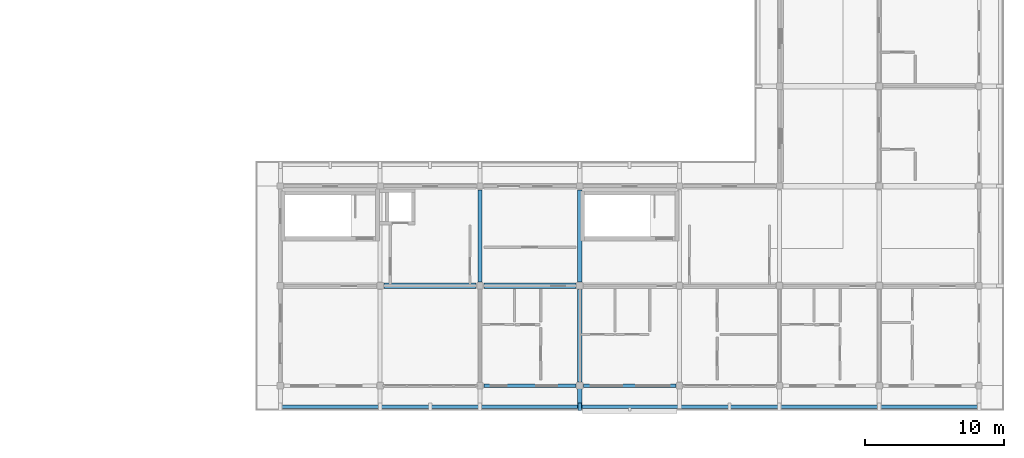
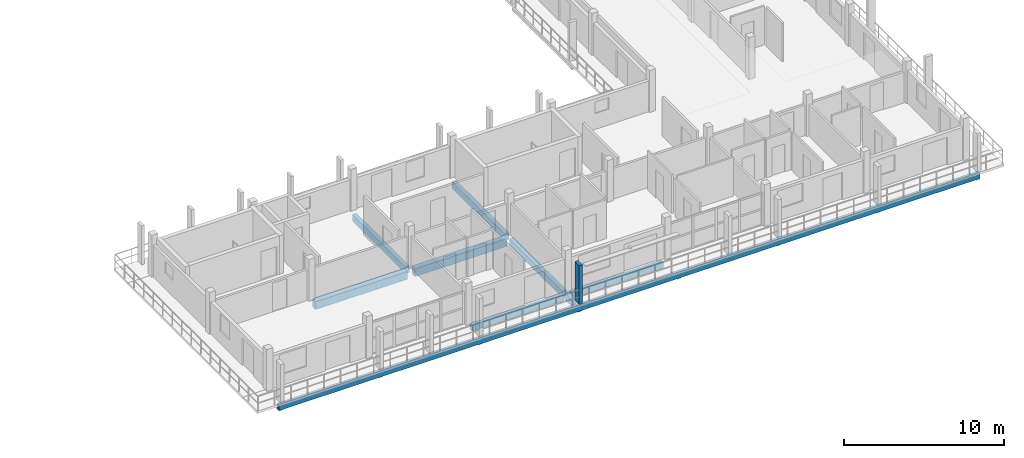
# One storey, part 19 of 56: 9 beams, 1 member.
"""IFC4 building model written with IfcOpenShell, lengths in metres."""

from ifc_helpers import new_model, si_unit, direction, frame, origin, origin_2d, place, context, subcontext, project, spatial, rectangle, extrude, material, material_profile, profile_set, type_object, element, save


model = new_model("IFC4")

# Units and contexts
model_context = context("Model", 3, precision=1e-05, world=origin(), true_north=direction((0.0, 1.0)))
body_context = subcontext(model_context, "Body", "Model", "MODEL_VIEW")
ifc_project = project(units=[si_unit("LENGTHUNIT", "METRE"), si_unit("AREAUNIT", "SQUARE_METRE"), si_unit("VOLUMEUNIT", "CUBIC_METRE"), si_unit("PLANEANGLEUNIT", "RADIAN"), si_unit("MASSUNIT", "GRAM", prefix="KILO")], contexts=[model_context])

# Site, building, storey
site_placement = place(None, origin())
site = spatial("IfcSite", under=ifc_project, at=site_placement, CompositionType="ELEMENT")
building_placement = place(site_placement, origin())
building = spatial("IfcBuilding", under=site, at=building_placement, Name="Suanplinth Sawtooth Commons", CompositionType="ELEMENT")
storey_placement = place(building_placement, frame((0.0, 0.0, 34.800048828125)))
storey = spatial("IfcBuildingStorey", under=building, at=storey_placement, Name="L10", CompositionType="ELEMENT", Elevation=34.800048828125)

# Beams
ifc_material_1 = material(Name="Precast concrete C40/50", Category="concrete")
ifc_material_profile_1 = material_profile(ifc_material_1, rectangle(XDim=0.39990234375, YDim=0.60009765625, at=origin_2d()), Name="PC-GDR 400x600")
ifc_profile_set_1 = profile_set([ifc_material_profile_1], Name="Precast concrete C40/50")
beam_type_1 = type_object("IfcBeamType", Name="B-05", PredefinedType="USERDEFINED", material=ifc_profile_set_1)
beam_1_placement = place(storey_placement, frame((144.27490234375, 7.199951171875, -0.52001953125), z_axis=(1.0, 0.0, 0.0), x_axis=(0.0, 1.0, 0.0)))
element("IfcBeam", 1, at=beam_1_placement, inside=storey, type_object=beam_type_1, Name="BMX-L10-C-20-1", ObjectType="GIRDER", PredefinedType="USERDEFINED", context=body_context, shape_type="SweptSolid", body=[
    extrude(rectangle(XDim=0.39990234375, YDim=0.60009765625, at=origin_2d()), origin(), (0.0, 0.0, 1.0), 6.650146484375),
])
beam_2_placement = place(storey_placement, frame((151.47509765625, 7.199951171875, -0.52001953125), z_axis=(1.0, 0.0, 0.0), x_axis=(0.0, 1.0, 0.0)))
element("IfcBeam", 2, at=beam_2_placement, inside=storey, type_object=beam_type_1, Name="BMX-L10-C-21-1", ObjectType="GIRDER", PredefinedType="USERDEFINED", context=body_context, shape_type="SweptSolid", body=[
    extrude(rectangle(XDim=0.39990234375, YDim=0.60009765625, at=origin_2d()), origin(), (0.0, 0.0, 1.0), 6.64990234375),
])
ifc_material_profile_2 = material_profile(ifc_material_1, rectangle(XDim=0.300048828125, YDim=0.5, at=origin_2d()), Name="PC-BM 300x500")
ifc_profile_set_2 = profile_set([ifc_material_profile_2], Name="Precast concrete C40/50")
beam_type_2 = type_object("IfcBeamType", Name="B-07", PredefinedType="BEAM", material=ifc_profile_set_2)
beam_3_placement = place(storey_placement, frame((151.199951171875, 7.47509765625, -0.469970703125), z_axis=(0.0, 1.0, 0.0), x_axis=(-1.0, 0.0, 0.0)))
element("IfcBeam", 3, at=beam_3_placement, inside=storey, type_object=beam_type_2, Name="BMY-L10-C-21-1", PredefinedType="BEAM", context=body_context, shape_type="SweptSolid", body=[
    extrude(rectangle(XDim=0.300048828125, YDim=0.5, at=origin_2d()), origin(), (0.0, 0.0, 1.0), 6.64990234375),
])
beam_4_placement = place(storey_placement, frame((158.39990234375, 0.27490234375, -0.469970703125), z_axis=(0.0, 1.0, 0.0), x_axis=(-1.0, 0.0, 0.0)))
element("IfcBeam", 4, at=beam_4_placement, inside=storey, type_object=beam_type_2, Name="BMY-L10-C-22-0", PredefinedType="BEAM", context=body_context, shape_type="SweptSolid", body=[
    extrude(rectangle(XDim=0.300048828125, YDim=0.5, at=origin_2d()), origin(), (0.0, 0.0, 1.0), 6.650146484375),
])
beam_5_placement = place(storey_placement, frame((158.39990234375, 7.47509765625, -0.469970703125), z_axis=(0.0, 1.0, 0.0), x_axis=(-1.0, 0.0, 0.0)))
element("IfcBeam", 5, at=beam_5_placement, inside=storey, type_object=beam_type_2, Name="BMY-L10-C-22-1", PredefinedType="BEAM", context=body_context, shape_type="SweptSolid", body=[
    extrude(rectangle(XDim=0.300048828125, YDim=0.5, at=origin_2d()), origin(), (0.0, 0.0, 1.0), 6.64990234375),
])
beam_6_placement = place(storey_placement, frame((158.39990234375, 0.0, -0.429931640625), z_axis=(0.0, -1.0, 0.0), x_axis=(1.0, 0.0, 0.0)))
element("IfcBeam", 6, at=beam_6_placement, inside=storey, type_object=beam_type_2, Name="Balcony Outrigger L10-C-S-22", PredefinedType="BEAM", context=body_context, shape_type="SweptSolid", body=[
    extrude(rectangle(XDim=0.300048828125, YDim=0.5, at=origin_2d()), origin(), (0.0, 0.0, 1.0), 1.639892578125),
])
ifc_material_profile_3 = material_profile(ifc_material_1, rectangle(XDim=0.25, YDim=0.449951171875, at=origin_2d()), Name="PC-SP 250x450")
ifc_profile_set_3 = profile_set([ifc_material_profile_3], Name="Precast concrete C40/50")
beam_type_3 = type_object("IfcBeamType", Name="B-09", PredefinedType="SPANDREL", material=ifc_profile_set_3)
for number, where, z_axis, x_axis, name in (
    (7, (151.47509765625, 0.0, -0.445068359375), (1.0, 0.0, 0.0), (0.0, 1.0, 0.0), "BMX-L10-C-21-0"),
    (8, (158.675048828125, 0.0, -0.445068359375), (1.0, 0.0, 0.0), (0.0, 1.0, 0.0), "BMX-L10-C-22-0"),
):
    element("IfcBeam", number, at=place(storey_placement, frame(where, z_axis=z_axis, x_axis=x_axis)), inside=storey, type_object=beam_type_3, Name=name, PredefinedType="SPANDREL", context=body_context, shape_type="SweptSolid", body=[
        extrude(rectangle(XDim=0.25, YDim=0.449951171875, at=origin_2d()), origin(), (0.0, 0.0, 1.0), 6.64990234375),
    ])
beam_7_placement = place(storey_placement, frame((136.64990234375, -1.52001953125, -0.405029296875), z_axis=(1.0, 0.0, 0.0), x_axis=(0.0, 1.0, 0.0)))
element("IfcBeam", 9, at=beam_7_placement, inside=storey, type_object=beam_type_3, Name="Balcony Edge Fascia L10-C-S", PredefinedType="SPANDREL", context=body_context, shape_type="SweptSolid", body=[
    extrude(rectangle(XDim=0.25, YDim=0.449951171875, at=origin_2d()), origin(), (0.0, 0.0, 1.0), 50.7001953125),
])

# Member
ifc_material_2 = material(Name="Pigmented precast concrete C40/50", Category="concrete")
ifc_material_profile_4 = material_profile(ifc_material_2, rectangle(XDim=0.25, YDim=0.5400390625, at=origin_2d()), Name="PC-FIN 250x540")
ifc_profile_set_4 = profile_set([ifc_material_profile_4], Name="Pigmented precast concrete C40/50")
member_type = type_object("IfcMemberType", Name="M-11", PredefinedType="USERDEFINED", material=ifc_profile_set_4)
member_placement = place(storey_placement, frame((158.39990234375, -1.52001953125, 0.0), z_axis=(0.0, 0.0, 1.0), x_axis=(1.0, 0.0, 0.0)))
element("IfcMember", 10, at=member_placement, inside=storey, type_object=member_type, Name="Upright Solar Blade L10-C-S-05", ObjectType="SHADING FIN", PredefinedType="USERDEFINED", context=body_context, shape_type="SweptSolid", body=[
    extrude(rectangle(XDim=0.25, YDim=0.5400390625, at=origin_2d()), origin(), (0.0, 0.0, 1.0), 2.969970703125),
])

save(model, "model.ifc")
